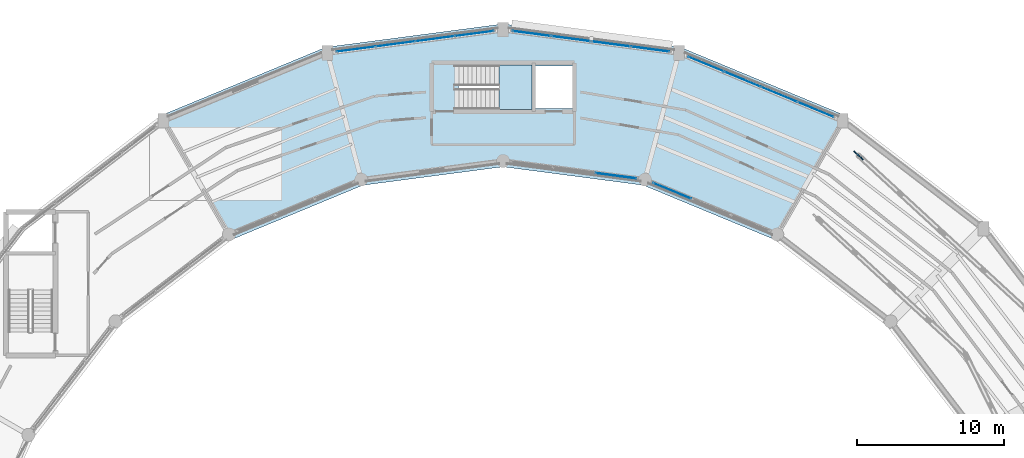
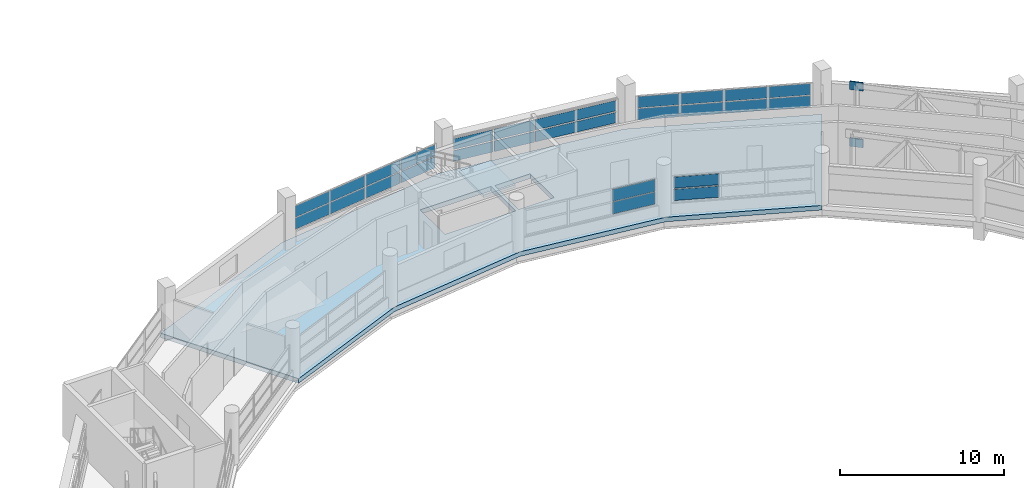
# One storey, part 93 of 121: 30 plates, 2 slabs, 6 elements without a shape of their own.
"""IFC4 building model written with IfcOpenShell, lengths in metres."""

from ifc_helpers import new_model, si_unit, direction, frame, origin, origin_2d, place, context, subcontext, project, spatial, polyline, rectangle, outline, extrude, material, layer, layer_set, type_object, element, aggregate, save


model = new_model("IFC4")

# Units and contexts
model_context = context("Model", 3, precision=1e-05, world=origin(), true_north=direction((0.0, 1.0)))
body_context = subcontext(model_context, "Body", "Model", "MODEL_VIEW")
ifc_project = project(units=[si_unit("LENGTHUNIT", "METRE"), si_unit("AREAUNIT", "SQUARE_METRE"), si_unit("VOLUMEUNIT", "CUBIC_METRE"), si_unit("PLANEANGLEUNIT", "RADIAN"), si_unit("MASSUNIT", "GRAM", prefix="KILO")], contexts=[model_context])

# Site, building, storey
site_placement = place(None, origin())
site = spatial("IfcSite", under=ifc_project, at=site_placement, CompositionType="ELEMENT")
building_placement = place(site_placement, origin())
building = spatial("IfcBuilding", under=site, at=building_placement, Name="Vespera Passage Community Centre", CompositionType="ELEMENT")
storey_placement = place(building_placement, frame((0.0, 0.0, 8.699951171875)))
storey = spatial("IfcBuildingStorey", under=building, at=storey_placement, Name="L02", CompositionType="ELEMENT", Elevation=8.699951171875)

# Curtain wall, plates
ifc_material_1 = material(Name="Anodized aluminium 6063-T6", Category="aluminium")
ifc_layer_1 = layer(ifc_material_1, 0.159912109375)
ifc_layer_set_1 = layer_set([ifc_layer_1], Name="Anodized aluminium 6063-T6")
curtain_wall_type_1 = type_object("IfcCurtainWallType", Name="CW-28E", PredefinedType="NOTDEFINED", material=ifc_layer_set_1)
curtain_wall_1_placement = place(storey_placement, origin())
curtain_wall_1 = element("IfcCurtainWall", 1, at=curtain_wall_1_placement, inside=storey, type_object=curtain_wall_type_1, Name="V4 L02 Outer Ribbon Curtain Wall 6", PredefinedType="NOTDEFINED")
ifc_material_2 = material(Name="Low-E insulated vision glass", Category="glass")
ifc_layer_2 = layer(ifc_material_2, 0.02001953125)
ifc_layer_set_2 = layer_set([ifc_layer_2], Name="Low-E insulated vision glass")
plate_type_1 = type_object("IfcPlateType", Name="PL-CWP-20E", PredefinedType="CURTAIN_PANEL", material=ifc_layer_set_2)
plate_1_placement = place(storey_placement, frame((68.01708984375, 110.28564453125, 0.880126953125), z_axis=(0.0, 0.0, 1.0), x_axis=(0.991444252276, 0.130530818696, 0.0)))
plate_1 = element("IfcPlate", 2, at=plate_1_placement, type_object=plate_type_1, Name="CW-28E panel 1.1", PredefinedType="CURTAIN_PANEL", context=body_context, shape_type="SweptSolid", body=[
    extrude(rectangle(XDim=2.614501953125, YDim=0.02001953125, at=origin_2d()), origin(), (0.0, 0.0, 1.0), 0.8427734375),
])
plate_2_placement = place(storey_placement, frame((68.01708984375, 110.28564453125, 1.782958984375), z_axis=(0.0, 0.0, 1.0), x_axis=(0.991444252276, 0.130530818696, 0.0)))
plate_2 = element("IfcPlate", 3, at=plate_2_placement, type_object=plate_type_1, Name="CW-28E panel 1.2", PredefinedType="CURTAIN_PANEL", context=body_context, shape_type="SweptSolid", body=[
    extrude(rectangle(XDim=2.614501953125, YDim=0.02001953125, at=origin_2d()), origin(), (0.0, 0.0, 1.0), 0.8427734375),
])
plate_3_placement = place(storey_placement, frame((70.689697265625, 110.6376953125, 0.880126953125), z_axis=(0.0, 0.0, 1.0), x_axis=(0.991444252276, 0.130530818696, 0.0)))
plate_3 = element("IfcPlate", 4, at=plate_3_placement, type_object=plate_type_1, Name="CW-28E panel 2.1", PredefinedType="CURTAIN_PANEL", context=body_context, shape_type="SweptSolid", body=[
    extrude(rectangle(XDim=2.64697265625, YDim=0.02001953125, at=origin_2d()), origin(), (0.0, 0.0, 1.0), 0.8427734375),
])
plate_4_placement = place(storey_placement, frame((70.689697265625, 110.6376953125, 1.782958984375), z_axis=(0.0, 0.0, 1.0), x_axis=(0.991444252276, 0.130530818696, 0.0)))
plate_4 = element("IfcPlate", 5, at=plate_4_placement, type_object=plate_type_1, Name="CW-28E panel 2.2", PredefinedType="CURTAIN_PANEL", context=body_context, shape_type="SweptSolid", body=[
    extrude(rectangle(XDim=2.64697265625, YDim=0.02001953125, at=origin_2d()), origin(), (0.0, 0.0, 1.0), 0.8427734375),
])
plate_5_placement = place(storey_placement, frame((73.378662109375, 110.99169921875, 0.880126953125), z_axis=(0.0, 0.0, 1.0), x_axis=(0.991444252276, 0.130530818696, 0.0)))
plate_5 = element("IfcPlate", 6, at=plate_5_placement, type_object=plate_type_1, Name="CW-28E panel 3.1", PredefinedType="CURTAIN_PANEL", context=body_context, shape_type="SweptSolid", body=[
    extrude(rectangle(XDim=2.64697265625, YDim=0.02001953125, at=origin_2d()), origin(), (0.0, 0.0, 1.0), 0.8427734375),
])
plate_6_placement = place(storey_placement, frame((73.378662109375, 110.99169921875, 1.782958984375), z_axis=(0.0, 0.0, 1.0), x_axis=(0.991444252276, 0.130530818696, 0.0)))
plate_6 = element("IfcPlate", 7, at=plate_6_placement, type_object=plate_type_1, Name="CW-28E panel 3.2", PredefinedType="CURTAIN_PANEL", context=body_context, shape_type="SweptSolid", body=[
    extrude(rectangle(XDim=2.64697265625, YDim=0.02001953125, at=origin_2d()), origin(), (0.0, 0.0, 1.0), 0.8427734375),
])
plate_7_placement = place(storey_placement, frame((76.05126953125, 111.343505859375, 0.880126953125), z_axis=(0.0, 0.0, 1.0), x_axis=(0.991444252276, 0.130530818696, 0.0)))
plate_7 = element("IfcPlate", 8, at=plate_7_placement, type_object=plate_type_1, Name="CW-28E panel 4.1", PredefinedType="CURTAIN_PANEL", context=body_context, shape_type="SweptSolid", body=[
    extrude(rectangle(XDim=2.614501953125, YDim=0.02001953125, at=origin_2d()), origin(), (0.0, 0.0, 1.0), 0.8427734375),
])
plate_8_placement = place(storey_placement, frame((76.05126953125, 111.343505859375, 1.782958984375), z_axis=(0.0, 0.0, 1.0), x_axis=(0.991444252276, 0.130530818696, 0.0)))
plate_8 = element("IfcPlate", 9, at=plate_8_placement, type_object=plate_type_1, Name="CW-28E panel 4.2", PredefinedType="CURTAIN_PANEL", context=body_context, shape_type="SweptSolid", body=[
    extrude(rectangle(XDim=2.614501953125, YDim=0.02001953125, at=origin_2d()), origin(), (0.0, 0.0, 1.0), 0.8427734375),
])
aggregate(curtain_wall_1, [plate_1, plate_2, plate_3, plate_4, plate_5, plate_6, plate_7, plate_8])

ifc_material_3 = material(Name="Anodized aluminium 6063-T6", Category="aluminium")
ifc_layer_3 = layer(ifc_material_3, 0.159912109375)
ifc_layer_set_3 = layer_set([ifc_layer_3], Name="Anodized aluminium 6063-T6")
curtain_wall_type_2 = type_object("IfcCurtainWallType", Name="CW-24E", PredefinedType="NOTDEFINED", material=ifc_layer_set_3)
curtain_wall_2_placement = place(storey_placement, origin())
curtain_wall_2 = element("IfcCurtainWall", 10, at=curtain_wall_2_placement, inside=storey, type_object=curtain_wall_type_2, Name="V4 L02 Outer Ribbon Curtain Wall 4", PredefinedType="NOTDEFINED")
ifc_material_4 = material(Name="Low-E insulated vision glass", Category="glass")
ifc_layer_4 = layer(ifc_material_4, 0.028076171875)
ifc_layer_set_4 = layer_set([ifc_layer_4], Name="Low-E insulated vision glass")
plate_type_2 = type_object("IfcPlateType", Name="PL-CWP-28E", PredefinedType="CURTAIN_PANEL", material=ifc_layer_set_4)
plate_9_placement = place(storey_placement, frame((91.76904296875, 109.26806640625, 0.880126953125), z_axis=(0.0, 0.0, 1.0), x_axis=(0.923879738007, -0.382682936255, 0.0)))
plate_9 = element("IfcPlate", 11, at=plate_9_placement, type_object=plate_type_2, Name="CW-24E panel 1.1", PredefinedType="CURTAIN_PANEL", context=body_context, shape_type="SweptSolid", body=[
    extrude(rectangle(XDim=2.585693359375, YDim=0.028076171875, at=origin_2d()), origin(), (0.0, 0.0, 1.0), 0.8427734375),
])
plate_10_placement = place(storey_placement, frame((91.76904296875, 109.26806640625, 1.782958984375), z_axis=(0.0, 0.0, 1.0), x_axis=(0.923879738007, -0.382682936255, 0.0)))
plate_10 = element("IfcPlate", 12, at=plate_10_placement, type_object=plate_type_2, Name="CW-24E panel 1.2", PredefinedType="CURTAIN_PANEL", context=body_context, shape_type="SweptSolid", body=[
    extrude(rectangle(XDim=2.585693359375, YDim=0.028076171875, at=origin_2d()), origin(), (0.0, 0.0, 1.0), 0.8427734375),
])
plate_11_placement = place(storey_placement, frame((94.244384765625, 108.24267578125, 0.880126953125), z_axis=(0.0, 0.0, 1.0), x_axis=(0.923879738007, -0.382682936255, 0.0)))
plate_11 = element("IfcPlate", 13, at=plate_11_placement, type_object=plate_type_2, Name="CW-24E panel 2.1", PredefinedType="CURTAIN_PANEL", context=body_context, shape_type="SweptSolid", body=[
    extrude(rectangle(XDim=2.623291015625, YDim=0.028076171875, at=origin_2d()), origin(), (0.0, 0.0, 1.0), 0.8427734375),
])
plate_12_placement = place(storey_placement, frame((94.244384765625, 108.24267578125, 1.782958984375), z_axis=(0.0, 0.0, 1.0), x_axis=(0.923879738007, -0.382682936255, 0.0)))
plate_12 = element("IfcPlate", 14, at=plate_12_placement, type_object=plate_type_2, Name="CW-24E panel 2.2", PredefinedType="CURTAIN_PANEL", context=body_context, shape_type="SweptSolid", body=[
    extrude(rectangle(XDim=2.623291015625, YDim=0.028076171875, at=origin_2d()), origin(), (0.0, 0.0, 1.0), 0.8427734375),
])
plate_13_placement = place(storey_placement, frame((96.7373046875, 107.210205078125, 0.880126953125), z_axis=(0.0, 0.0, 1.0), x_axis=(0.923879738007, -0.382682936255, 0.0)))
plate_13 = element("IfcPlate", 15, at=plate_13_placement, type_object=plate_type_2, Name="CW-24E panel 3.1", PredefinedType="CURTAIN_PANEL", context=body_context, shape_type="SweptSolid", body=[
    extrude(rectangle(XDim=2.623291015625, YDim=0.028076171875, at=origin_2d()), origin(), (0.0, 0.0, 1.0), 0.8427734375),
])
plate_14_placement = place(storey_placement, frame((96.7373046875, 107.210205078125, 1.782958984375), z_axis=(0.0, 0.0, 1.0), x_axis=(0.923879738007, -0.382682936255, 0.0)))
plate_14 = element("IfcPlate", 16, at=plate_14_placement, type_object=plate_type_2, Name="CW-24E panel 3.2", PredefinedType="CURTAIN_PANEL", context=body_context, shape_type="SweptSolid", body=[
    extrude(rectangle(XDim=2.623291015625, YDim=0.028076171875, at=origin_2d()), origin(), (0.0, 0.0, 1.0), 0.8427734375),
])
plate_15_placement = place(storey_placement, frame((99.212646484375, 106.184814453125, 0.880126953125), z_axis=(0.0, 0.0, 1.0), x_axis=(0.923879738007, -0.382682936255, 0.0)))
plate_15 = element("IfcPlate", 17, at=plate_15_placement, type_object=plate_type_2, Name="CW-24E panel 4.1", PredefinedType="CURTAIN_PANEL", context=body_context, shape_type="SweptSolid", body=[
    extrude(rectangle(XDim=2.585693359375, YDim=0.028076171875, at=origin_2d()), origin(), (0.0, 0.0, 1.0), 0.8427734375),
])
plate_16_placement = place(storey_placement, frame((99.212646484375, 106.184814453125, 1.782958984375), z_axis=(0.0, 0.0, 1.0), x_axis=(0.923879738007, -0.382682936255, 0.0)))
plate_16 = element("IfcPlate", 18, at=plate_16_placement, type_object=plate_type_2, Name="CW-24E panel 4.2", PredefinedType="CURTAIN_PANEL", context=body_context, shape_type="SweptSolid", body=[
    extrude(rectangle(XDim=2.585693359375, YDim=0.028076171875, at=origin_2d()), origin(), (0.0, 0.0, 1.0), 0.8427734375),
])
aggregate(curtain_wall_2, [plate_9, plate_10, plate_11, plate_12, plate_13, plate_14, plate_15, plate_16])

ifc_material_5 = material(Name="Anodized aluminium 6063-T6", Category="aluminium")
ifc_layer_5 = layer(ifc_material_5, 0.159912109375)
ifc_layer_set_5 = layer_set([ifc_layer_5], Name="Anodized aluminium 6063-T6")
curtain_wall_type_3 = type_object("IfcCurtainWallType", Name="CW-25E", PredefinedType="NOTDEFINED", material=ifc_layer_set_5)
curtain_wall_3_placement = place(storey_placement, origin())
curtain_wall_3 = element("IfcCurtainWall", 19, at=curtain_wall_3_placement, inside=storey, type_object=curtain_wall_type_3, Name="V4 L02 Inner Court Curtain Wall 4", PredefinedType="NOTDEFINED")
plate_17_placement = place(storey_placement, frame((89.47314453125, 100.668212890625, 0.920166015625), z_axis=(0.0, 0.0, 1.0), x_axis=(-0.923876620096, 0.382690463482, 0.0)))
plate_17 = element("IfcPlate", 20, at=plate_17_placement, type_object=plate_type_2, Name="CW-25E panel 3.1", PredefinedType="CURTAIN_PANEL", context=body_context, shape_type="SweptSolid", body=[
    extrude(rectangle(XDim=2.7646484375, YDim=0.028076171875, at=origin_2d()), origin(), (0.0, 0.0, 1.0), 0.82470703125),
])
plate_18_placement = place(storey_placement, frame((89.47314453125, 100.668212890625, 1.8447265625), z_axis=(0.0, 0.0, 1.0), x_axis=(-0.923876620096, 0.382690463482, 0.0)))
plate_18 = element("IfcPlate", 21, at=plate_18_placement, type_object=plate_type_2, Name="CW-25E panel 3.2", PredefinedType="CURTAIN_PANEL", context=body_context, shape_type="SweptSolid", body=[
    extrude(rectangle(XDim=2.7646484375, YDim=0.028076171875, at=origin_2d()), origin(), (0.0, 0.0, 1.0), 0.82470703125),
])
aggregate(curtain_wall_3, [plate_17, plate_18])

ifc_material_6 = material(Name="Anodized aluminium 6063-T6", Category="aluminium")
ifc_layer_6 = layer(ifc_material_6, 0.159912109375)
ifc_layer_set_6 = layer_set([ifc_layer_6], Name="Anodized aluminium 6063-T6")
curtain_wall_type_4 = type_object("IfcCurtainWallType", Name="CW-26E", PredefinedType="NOTDEFINED", material=ifc_layer_set_6)
curtain_wall_4_placement = place(storey_placement, origin())
curtain_wall_4 = element("IfcCurtainWall", 22, at=curtain_wall_4_placement, inside=storey, type_object=curtain_wall_type_4, Name="V4 L02 Outer Ribbon Curtain Wall 5", PredefinedType="NOTDEFINED")
ifc_material_7 = material(Name="Acoustic triple-glazed vision glass", Category="glass")
ifc_layer_7 = layer(ifc_material_7, 0.035888671875)
ifc_layer_set_7 = layer_set([ifc_layer_7], Name="Acoustic triple-glazed vision glass")
plate_type_3 = type_object("IfcPlateType", Name="PL-CWP-36E", PredefinedType="CURTAIN_PANEL", material=ifc_layer_set_7)
plate_19_placement = place(storey_placement, frame((79.951171875, 111.34326171875, 0.920166015625), z_axis=(0.0, 0.0, 1.0), x_axis=(0.991444252276, -0.130530818696, 0.0)))
plate_19 = element("IfcPlate", 23, at=plate_19_placement, type_object=plate_type_3, Name="CW-26E panel 1.1", PredefinedType="CURTAIN_PANEL", context=body_context, shape_type="SweptSolid", body=[
    extrude(rectangle(XDim=2.599609375, YDim=0.035888671875, at=origin_2d()), origin(), (0.0, 0.0, 1.0), 0.78271484375),
])
plate_20_placement = place(storey_placement, frame((79.951171875, 111.34326171875, 1.802978515625), z_axis=(0.0, 0.0, 1.0), x_axis=(0.991444252276, -0.130530818696, 0.0)))
plate_20 = element("IfcPlate", 24, at=plate_20_placement, type_object=plate_type_3, Name="CW-26E panel 1.2", PredefinedType="CURTAIN_PANEL", context=body_context, shape_type="SweptSolid", body=[
    extrude(rectangle(XDim=2.599609375, YDim=0.035888671875, at=origin_2d()), origin(), (0.0, 0.0, 1.0), 0.78271484375),
])
plate_21_placement = place(storey_placement, frame((82.621337890625, 110.99169921875, 0.920166015625), z_axis=(0.0, 0.0, 1.0), x_axis=(0.991444252276, -0.130530818696, 0.0)))
plate_21 = element("IfcPlate", 25, at=plate_21_placement, type_object=plate_type_3, Name="CW-26E panel 2.1", PredefinedType="CURTAIN_PANEL", context=body_context, shape_type="SweptSolid", body=[
    extrude(rectangle(XDim=2.636962890625, YDim=0.035888671875, at=origin_2d()), origin(), (0.0, 0.0, 1.0), 0.78271484375),
])
plate_22_placement = place(storey_placement, frame((82.621337890625, 110.99169921875, 1.802978515625), z_axis=(0.0, 0.0, 1.0), x_axis=(0.991444252276, -0.130530818696, 0.0)))
plate_22 = element("IfcPlate", 26, at=plate_22_placement, type_object=plate_type_3, Name="CW-26E panel 2.2", PredefinedType="CURTAIN_PANEL", context=body_context, shape_type="SweptSolid", body=[
    extrude(rectangle(XDim=2.636962890625, YDim=0.035888671875, at=origin_2d()), origin(), (0.0, 0.0, 1.0), 0.78271484375),
])
plate_23_placement = place(storey_placement, frame((85.310302734375, 110.6376953125, 0.920166015625), z_axis=(0.0, 0.0, 1.0), x_axis=(0.991444252276, -0.130530818696, 0.0)))
plate_23 = element("IfcPlate", 27, at=plate_23_placement, type_object=plate_type_3, Name="CW-26E panel 3.1", PredefinedType="CURTAIN_PANEL", context=body_context, shape_type="SweptSolid", body=[
    extrude(rectangle(XDim=2.636962890625, YDim=0.035888671875, at=origin_2d()), origin(), (0.0, 0.0, 1.0), 0.78271484375),
])
plate_24_placement = place(storey_placement, frame((85.310302734375, 110.6376953125, 1.802978515625), z_axis=(0.0, 0.0, 1.0), x_axis=(0.991444252276, -0.130530818696, 0.0)))
plate_24 = element("IfcPlate", 28, at=plate_24_placement, type_object=plate_type_3, Name="CW-26E panel 3.2", PredefinedType="CURTAIN_PANEL", context=body_context, shape_type="SweptSolid", body=[
    extrude(rectangle(XDim=2.636962890625, YDim=0.035888671875, at=origin_2d()), origin(), (0.0, 0.0, 1.0), 0.78271484375),
])
plate_25_placement = place(storey_placement, frame((87.98046875, 110.2861328125, 0.920166015625), z_axis=(0.0, 0.0, 1.0), x_axis=(0.991444252276, -0.130530818696, 0.0)))
plate_25 = element("IfcPlate", 29, at=plate_25_placement, type_object=plate_type_3, Name="CW-26E panel 4.1", PredefinedType="CURTAIN_PANEL", context=body_context, shape_type="SweptSolid", body=[
    extrude(rectangle(XDim=2.599609375, YDim=0.035888671875, at=origin_2d()), origin(), (0.0, 0.0, 1.0), 0.78271484375),
])
plate_26_placement = place(storey_placement, frame((87.98046875, 110.2861328125, 1.802978515625), z_axis=(0.0, 0.0, 1.0), x_axis=(0.991444252276, -0.130530818696, 0.0)))
plate_26 = element("IfcPlate", 30, at=plate_26_placement, type_object=plate_type_3, Name="CW-26E panel 4.2", PredefinedType="CURTAIN_PANEL", context=body_context, shape_type="SweptSolid", body=[
    extrude(rectangle(XDim=2.599609375, YDim=0.035888671875, at=origin_2d()), origin(), (0.0, 0.0, 1.0), 0.78271484375),
])
aggregate(curtain_wall_4, [plate_19, plate_20, plate_21, plate_22, plate_23, plate_24, plate_25, plate_26])

ifc_material_8 = material(Name="Anodized aluminium 6063-T6", Category="aluminium")
ifc_layer_8 = layer(ifc_material_8, 0.159912109375)
ifc_layer_set_8 = layer_set([ifc_layer_8], Name="Anodized aluminium 6063-T6")
curtain_wall_type_5 = type_object("IfcCurtainWallType", Name="CW-27E", PredefinedType="NOTDEFINED", material=ifc_layer_set_8)
curtain_wall_5_placement = place(storey_placement, origin())
curtain_wall_5 = element("IfcCurtainWall", 31, at=curtain_wall_5_placement, inside=storey, type_object=curtain_wall_type_5, Name="V4 L02 Inner Court Curtain Wall 5", PredefinedType="NOTDEFINED")
plate_27_placement = place(storey_placement, frame((85.665283203125, 101.69091796875, 0.880126953125), z_axis=(0.0, 0.0, 1.0), x_axis=(-0.991445387728, 0.1305221941, 0.0)))
plate_27 = element("IfcPlate", 32, at=plate_27_placement, type_object=plate_type_3, Name="CW-27E panel 1.1", PredefinedType="CURTAIN_PANEL", context=body_context, shape_type="SweptSolid", body=[
    extrude(rectangle(XDim=2.79443359375, YDim=0.035888671875, at=origin_2d()), origin(), (0.0, 0.0, 1.0), 0.884765625),
])
plate_28_placement = place(storey_placement, frame((85.665283203125, 101.69091796875, 1.82470703125), z_axis=(0.0, 0.0, 1.0), x_axis=(-0.991445387728, 0.1305221941, 0.0)))
plate_28 = element("IfcPlate", 33, at=plate_28_placement, type_object=plate_type_3, Name="CW-27E panel 1.2", PredefinedType="CURTAIN_PANEL", context=body_context, shape_type="SweptSolid", body=[
    extrude(rectangle(XDim=2.79443359375, YDim=0.035888671875, at=origin_2d()), origin(), (0.0, 0.0, 1.0), 0.884765625),
])
aggregate(curtain_wall_5, [plate_27, plate_28])

# Plates
ifc_material_9 = material(Name="Steel ASTM A572 Grade 50", Category="steel")
ifc_layer_9 = layer(ifc_material_9, 0.074951171875)
ifc_layer_set_9 = layer_set([ifc_layer_9], Name="Steel ASTM A572 Grade 50")
plate_type_4 = type_object("IfcPlateType", Name="PL-NODE-75", PredefinedType="SHEET", material=ifc_layer_set_9)
for number, where, z_axis, x_axis, name in (
    (34, (102.12158203125, 103.073486328125, -1.10009765625), (0.0, 0.0, 1.0), (-0.73609708712, 0.676875969683, 0.0), "Truss TR7O Gusset Plate B5"),
    (35, (102.12158203125, 103.073486328125, 3.110107421875), (0.0, 0.0, 1.0), (-0.73609708712, 0.676875969683, 0.0), "Truss TR7O Gusset Plate T5"),
):
    element("IfcPlate", number, at=place(storey_placement, frame(where, z_axis=z_axis, x_axis=x_axis)), inside=storey, type_object=plate_type_4, Name=name, PredefinedType="SHEET", context=body_context, shape_type="SweptSolid", body=[
        extrude(rectangle(XDim=0.840087890625, YDim=0.074951171875, at=origin_2d()), origin(), (0.0, 0.0, 1.0), 0.6201171875),
    ])

# Stair, slab
ifc_material_10 = material(Name="Concrete f'c 35 MPa", Category="concrete")
stair_type = type_object("IfcStairType", Name="ST-T12", PredefinedType="HALF_TURN_STAIR", material=ifc_material_10)
stair_placement = place(storey_placement, origin())
stair = element("IfcStair", 36, at=stair_placement, inside=storey, type_object=stair_type, Name="L02 Core C4 Exit Stair ST06", PredefinedType="HALF_TURN_STAIR")
ifc_material_11 = material(Name="Concrete f'c 35 MPa", Category="concrete")
ifc_layer_10 = layer(ifc_material_11, 0.199951171875)
ifc_layer_set_10 = layer_set([ifc_layer_10], Name="Concrete f'c 35 MPa")
slab_type_1 = type_object("IfcSlabType", Name="SL-LAND-200I", PredefinedType="LANDING", material=ifc_layer_set_10)
slab_1_placement = place(storey_placement, frame((0.0, 0.0, 1.75)))
slab_1 = element("IfcSlab", 37, at=slab_1_placement, type_object=slab_type_1, Name="ST06 landing 1", PredefinedType="LANDING", context=body_context, shape_type="SweptSolid", body=[
    extrude(outline(polyline([(77.705078125, 106.199951171875), (79.955078125, 106.199951171875), (79.955078125, 109.199951171875), (77.705078125, 109.199951171875), (77.705078125, 106.199951171875)])), origin(), (0.0, 0.0, 1.0), 0.199951171875),
])
aggregate(stair, [slab_1])

# Slab
ifc_material_12 = material(Name="Concrete f'c 45 MPa", Category="concrete")
ifc_layer_11 = layer(ifc_material_12, 0.340087890625)
ifc_layer_set_11 = layer_set([ifc_layer_11], Name="Concrete f'c 45 MPa")
slab_type_2 = type_object("IfcSlabType", Name="SL-XFER-340", PredefinedType="FLOOR", material=ifc_layer_set_11)
slab_2_placement = place(storey_placement, frame((0.0, 0.0, -0.33984375)))
element("IfcSlab", 38, at=slab_2_placement, inside=storey, type_object=slab_type_2, Name="V4 L02 Annular Sector 2 Slab", PredefinedType="FLOOR", context=body_context, shape_type="SweptSolid", body=[
    extrude(outline(polyline([(87.5244140625, 101.046142578125), (78.0, 102.300048828125), (68.4755859375, 101.046142578125), (59.60009765625, 97.36962890625), (54.75, 105.770263671875), (65.96484375, 110.41552734375), (78.0, 112.0), (90.03515625, 110.41552734375), (101.25, 105.770263671875), (96.39990234375, 97.36962890625), (87.5244140625, 101.046142578125)]), holes=[polyline([(79.955078125, 109.199951171875), (74.985107421875, 109.199951171875), (74.985107421875, 106.199951171875), (79.955078125, 106.199951171875), (79.955078125, 109.199951171875)]), polyline([(82.695068359375, 106.25), (82.695068359375, 109.14990234375), (80.195068359375, 109.14990234375), (80.195068359375, 106.25), (82.695068359375, 106.25)])]), origin(), (0.0, 0.0, 1.0), 0.33984375),
])

save(model, "model.ifc")
